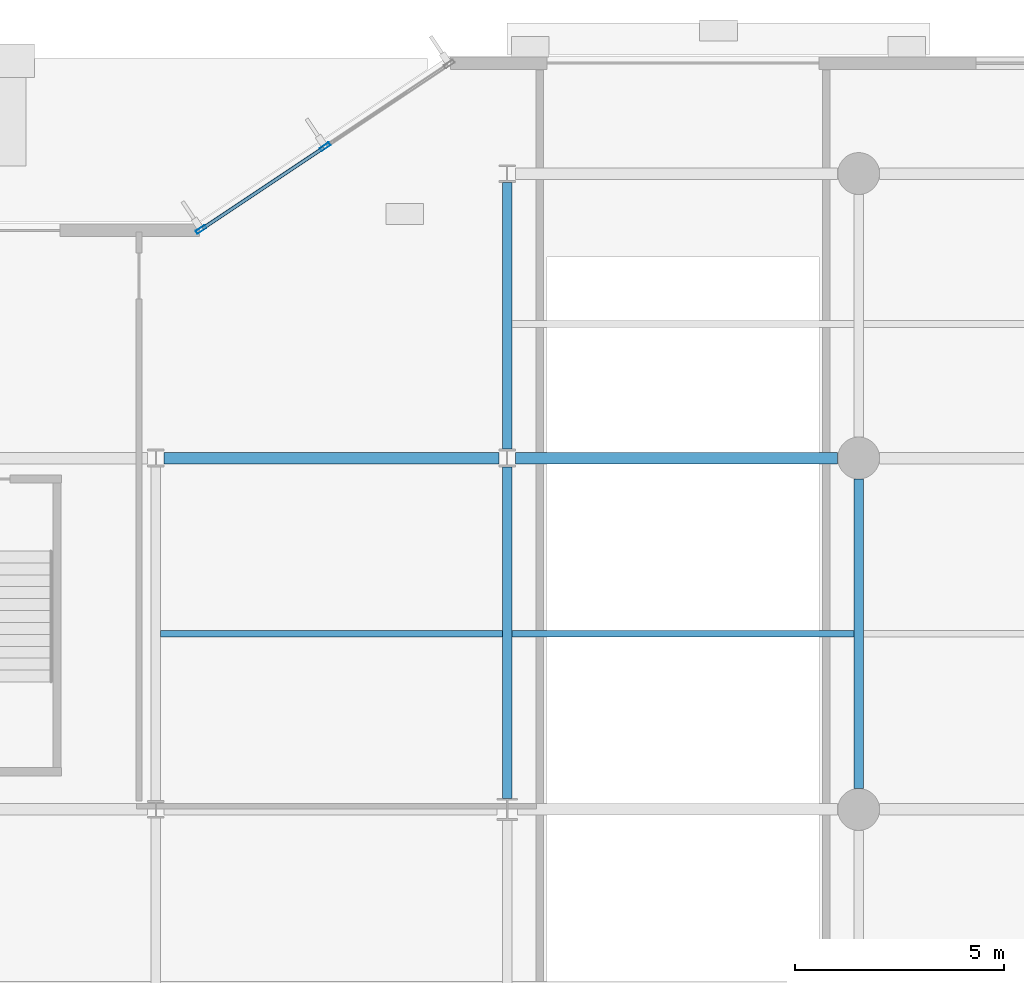
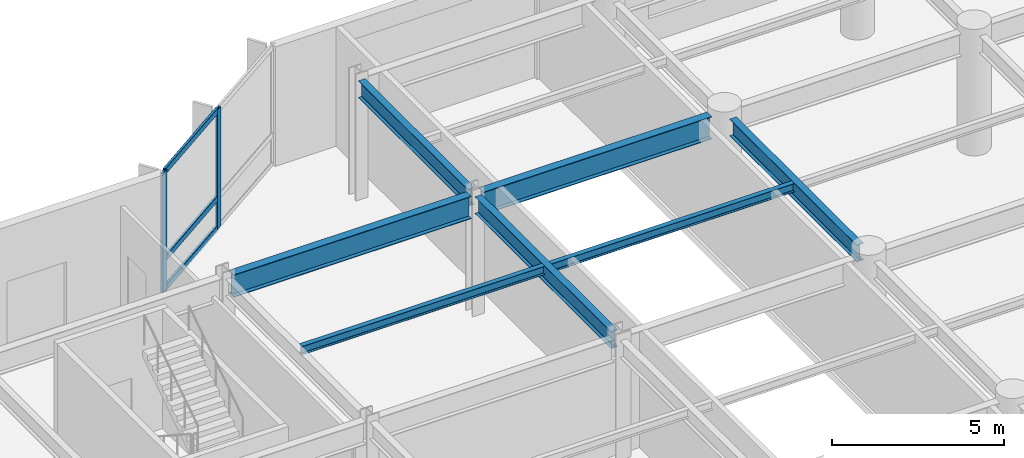
# One storey, part 6 of 26: 7 beams, 5 members, 1 element without a shape of its own.
"""IFC4 building model written with IfcOpenShell, lengths in metres."""

from ifc_helpers import new_model, si_unit, direction, frame, origin, origin_2d, place, context, subcontext, project, spatial, hollow_rectangle, i_section, extrude, material, layer, layer_set, material_profile, profile_set, type_object, element, aggregate, save


model = new_model("IFC4")

# Units and contexts
model_context = context("Model", 3, precision=1e-05, world=origin(), true_north=direction((0.0, 1.0)))
body_context = subcontext(model_context, "Body", "Model", "MODEL_VIEW")
ifc_project = project(units=[si_unit("LENGTHUNIT", "METRE"), si_unit("AREAUNIT", "SQUARE_METRE"), si_unit("VOLUMEUNIT", "CUBIC_METRE"), si_unit("PLANEANGLEUNIT", "RADIAN"), si_unit("MASSUNIT", "GRAM", prefix="KILO")], contexts=[model_context])

# Site, building, storey
site_placement = place(None, origin())
site = spatial("IfcSite", under=ifc_project, at=site_placement, CompositionType="ELEMENT")
building_placement = place(site_placement, origin())
building = spatial("IfcBuilding", under=site, at=building_placement, Name="Varnakote Quay Hospital", CompositionType="ELEMENT")
storey_placement = place(building_placement, origin())
storey = spatial("IfcBuildingStorey", under=building, at=storey_placement, Name="L00", CompositionType="ELEMENT", Elevation=0.0)

# Beams
ifc_material_1 = material(Name="Structural steel AS/NZS 3679.1 Grade 350 L0 (fy 340 MPa)", Category="steel")
ifc_material_profile_1 = material_profile(ifc_material_1, i_section(OverallWidth=0.22802734375, OverallDepth=0.60205078125, WebThickness=0.010498046875, FlangeThickness=0.014892578125, FilletRadius=0.013916015625, at=origin_2d()), Name="610UB101")
ifc_profile_set_1 = profile_set([ifc_material_profile_1], Name="Structural steel AS/NZS 3679.1 Grade 350 L0 (fy 340 MPa)")
beam_type_1 = type_object("IfcBeamType", Name="BM-STL-610UB101", PredefinedType="BEAM", material=ifc_profile_set_1)
beam_1_placement = place(storey_placement, frame((50.39990234375, 29.06494140625, 3.948974609375), z_axis=(0.0, 1.0, 0.0), x_axis=(-1.0, 0.0, 0.0)))
element("IfcBeam", 1, at=beam_1_placement, inside=storey, type_object=beam_type_1, Name="L00 Primary Tie Beam", PredefinedType="BEAM", context=body_context, shape_type="SweptSolid", body=[
    extrude(i_section(OverallWidth=0.22802734375, OverallDepth=0.60205078125, WebThickness=0.010498046875, FlangeThickness=0.014892578125, FilletRadius=0.013916015625, at=origin_2d()), origin(), (0.0, 0.0, 1.0), 7.925048828125),
])
beam_2_placement = place(storey_placement, frame((50.39990234375, 37.409912109375, 3.948974609375), z_axis=(0.0, 1.0, 0.0), x_axis=(-1.0, 0.0, 0.0)))
element("IfcBeam", 2, at=beam_2_placement, inside=storey, type_object=beam_type_1, Name="L00 Primary Tie Beam", PredefinedType="BEAM", context=body_context, shape_type="SweptSolid", body=[
    extrude(i_section(OverallWidth=0.22802734375, OverallDepth=0.60205078125, WebThickness=0.010498046875, FlangeThickness=0.014892578125, FilletRadius=0.013916015625, at=origin_2d()), origin(), (0.0, 0.0, 1.0), 6.380126953125),
])
beam_3_placement = place(storey_placement, frame((58.800048828125, 29.300048828125, 3.948974609375), z_axis=(0.0, 1.0, 0.0), x_axis=(-1.0, 0.0, 0.0)))
element("IfcBeam", 3, at=beam_3_placement, inside=storey, type_object=beam_type_1, Name="L00 Primary Tie Beam", PredefinedType="BEAM", context=body_context, shape_type="SweptSolid", body=[
    extrude(i_section(OverallWidth=0.22802734375, OverallDepth=0.60205078125, WebThickness=0.010498046875, FlangeThickness=0.014892578125, FilletRadius=0.013916015625, at=origin_2d()), origin(), (0.0, 0.0, 1.0), 7.39990234375),
])
ifc_material_2 = material(Name="Structural steel AS/NZS 3678 Grade 350 (fy 340 MPa)", Category="steel")
ifc_material_profile_2 = material_profile(ifc_material_2, i_section(OverallWidth=0.27490234375, OverallDepth=0.800048828125, WebThickness=0.010009765625, FlangeThickness=0.02001953125, at=origin_2d()), Name="800WB146")
ifc_profile_set_2 = profile_set([ifc_material_profile_2], Name="Structural steel AS/NZS 3678 Grade 350 (fy 340 MPa)")
beam_type_2 = type_object("IfcBeamType", Name="BM-STL-800WB146", PredefinedType="BEAM", material=ifc_profile_set_2)
beam_4_placement = place(storey_placement, frame((42.199951171875, 37.199951171875, 3.85009765625), z_axis=(1.0, 0.0, 0.0), x_axis=(0.0, 1.0, 0.0)))
element("IfcBeam", 4, at=beam_4_placement, inside=storey, type_object=beam_type_2, Name="L00 Primary Floor Beam", PredefinedType="BEAM", context=body_context, shape_type="SweptSolid", body=[
    extrude(i_section(OverallWidth=0.27490234375, OverallDepth=0.800048828125, WebThickness=0.010009765625, FlangeThickness=0.02001953125, at=origin_2d()), origin(), (0.0, 0.0, 1.0), 8.0),
])
beam_5_placement = place(storey_placement, frame((50.60009765625, 37.199951171875, 3.85009765625), z_axis=(1.0, 0.0, 0.0), x_axis=(0.0, 1.0, 0.0)))
element("IfcBeam", 5, at=beam_5_placement, inside=storey, type_object=beam_type_2, Name="L00 Primary Floor Beam", PredefinedType="BEAM", context=body_context, shape_type="SweptSolid", body=[
    extrude(i_section(OverallWidth=0.27490234375, OverallDepth=0.800048828125, WebThickness=0.010009765625, FlangeThickness=0.02001953125, at=origin_2d()), origin(), (0.0, 0.0, 1.0), 7.699951171875),
])

# Curtain wall, members
ifc_material_3 = material(Name="Anodised aluminium 6063-T6 Bronze", Category="aluminium")
ifc_layer = layer(ifc_material_3, 0.175048828125)
ifc_layer_set = layer_set([ifc_layer], Name="Anodised aluminium 6063-T6 Bronze")
curtain_wall_type = type_object("IfcCurtainWallType", Name="CW-SYS-1", PredefinedType="NOTDEFINED", material=ifc_layer_set)
curtain_wall_placement = place(storey_placement, origin())
curtain_wall = element("IfcCurtainWall", 6, at=curtain_wall_placement, inside=storey, type_object=curtain_wall_type, Name="L00 Unitised Bronze Curtain Wall 2", PredefinedType="NOTDEFINED")
ifc_material_4 = material(Name="Anodised aluminium 6063-T6 Bronze", Category="aluminium")
ifc_material_profile_3 = material_profile(ifc_material_4, hollow_rectangle(XDim=0.0849609375, YDim=0.260009765625, WallThickness=0.0048828125, InnerFilletRadius=0.0048828125, OuterFilletRadius=0.010009765625, at=origin_2d()), Name="CW-MULL-260x85")
ifc_profile_set_3 = profile_set([ifc_material_profile_3], Name="Anodised aluminium 6063-T6 Bronze")
member_type_1 = type_object("IfcMemberType", Name="CW-MULL-260x85", PredefinedType="MULLION", material=ifc_profile_set_3)
member_1_placement = place(storey_placement, frame((46.04833984375, 44.639892578125, 0.0), z_axis=(0.0, 0.0, 1.0), x_axis=(0.554700196226, -0.832050294338, 0.0)))
member_1 = element("IfcMember", 7, at=member_1_placement, type_object=member_type_1, Name="-1-L00-2 mullion 2", PredefinedType="MULLION", context=body_context, shape_type="SweptSolid", body=[
    extrude(hollow_rectangle(XDim=0.0849609375, YDim=0.260009765625, WallThickness=0.0048828125, InnerFilletRadius=0.0048828125, OuterFilletRadius=0.010009765625, at=origin_2d()), origin(), (0.0, 0.0, 1.0), 4.25),
])
member_2_placement = place(storey_placement, frame((43.083740234375, 42.66357421875, 0.0), z_axis=(0.0, 0.0, 1.0), x_axis=(0.554700196226, -0.832050294338, 0.0)))
member_2 = element("IfcMember", 8, at=member_2_placement, type_object=member_type_1, Name="-1-L00-2 mullion 3", PredefinedType="MULLION", context=body_context, shape_type="SweptSolid", body=[
    extrude(hollow_rectangle(XDim=0.0849609375, YDim=0.260009765625, WallThickness=0.0048828125, InnerFilletRadius=0.0048828125, OuterFilletRadius=0.010009765625, at=origin_2d()), origin(), (0.0, 0.0, 1.0), 4.25),
])
ifc_material_5 = material(Name="Anodised aluminium 6063-T6 Bronze", Category="aluminium")
ifc_material_profile_4 = material_profile(ifc_material_5, hollow_rectangle(XDim=0.0849609375, YDim=0.2099609375, WallThickness=0.00439453125, InnerFilletRadius=0.00439453125, OuterFilletRadius=0.009033203125, at=origin_2d()), Name="CW-TRAN-210x85")
ifc_profile_set_4 = profile_set([ifc_material_profile_4], Name="Anodised aluminium 6063-T6 Bronze")
member_type_2 = type_object("IfcMemberType", Name="CW-TRAN-210x85", PredefinedType="USERDEFINED", material=ifc_profile_set_4)
member_3_placement = place(storey_placement, frame((46.012939453125, 44.616455078125, 0.04248046875), z_axis=(-0.832050294338, -0.554700196225, 0.0), x_axis=(0.554700196225, -0.832050294338, 0.0)))
member_3 = element("IfcMember", 9, at=member_3_placement, type_object=member_type_2, Name="-1-L00-2 transom 2.1", ObjectType="TRANSOM", PredefinedType="USERDEFINED", context=body_context, shape_type="SweptSolid", body=[
    extrude(hollow_rectangle(XDim=0.0849609375, YDim=0.2099609375, WallThickness=0.00439453125, InnerFilletRadius=0.00439453125, OuterFilletRadius=0.009033203125, at=origin_2d()), origin(), (0.0, 0.0, 1.0), 3.47802734375),
])
member_4_placement = place(storey_placement, frame((46.012939453125, 44.616455078125, 1.10009765625), z_axis=(-0.832050294338, -0.554700196225, 0.0), x_axis=(0.554700196225, -0.832050294338, 0.0)))
member_4 = element("IfcMember", 10, at=member_4_placement, type_object=member_type_2, Name="-1-L00-2 transom 2.2", ObjectType="TRANSOM", PredefinedType="USERDEFINED", context=body_context, shape_type="SweptSolid", body=[
    extrude(hollow_rectangle(XDim=0.0849609375, YDim=0.2099609375, WallThickness=0.00439453125, InnerFilletRadius=0.00439453125, OuterFilletRadius=0.009033203125, at=origin_2d()), origin(), (0.0, 0.0, 1.0), 3.47802734375),
])
member_5_placement = place(storey_placement, frame((46.012939453125, 44.616455078125, 4.20751953125), z_axis=(-0.832050294338, -0.554700196225, 0.0), x_axis=(0.554700196225, -0.832050294338, 0.0)))
member_5 = element("IfcMember", 11, at=member_5_placement, type_object=member_type_2, Name="-1-L00-2 transom 2.3", ObjectType="TRANSOM", PredefinedType="USERDEFINED", context=body_context, shape_type="SweptSolid", body=[
    extrude(hollow_rectangle(XDim=0.0849609375, YDim=0.2099609375, WallThickness=0.00439453125, InnerFilletRadius=0.00439453125, OuterFilletRadius=0.009033203125, at=origin_2d()), origin(), (0.0, 0.0, 1.0), 3.47802734375),
])
aggregate(curtain_wall, [member_1, member_2, member_3, member_4, member_5])

# Beams
ifc_material_6 = material(Name="Structural steel AS/NZS 3679.1 Grade 350 L0 (fy 340 MPa)", Category="steel")
ifc_material_profile_5 = material_profile(ifc_material_6, i_section(OverallWidth=0.1650390625, OverallDepth=0.303955078125, WebThickness=0.006103515625, FlangeThickness=0.01025390625, FilletRadius=0.011474609375, at=origin_2d()), Name="310UB40.4")
ifc_profile_set_5 = profile_set([ifc_material_profile_5], Name="Structural steel AS/NZS 3679.1 Grade 350 L0 (fy 340 MPa)")
beam_type_3 = type_object("IfcBeamType", Name="JST-STL-310UB40-4", PredefinedType="JOIST", material=ifc_profile_set_5)
beam_6_placement = place(storey_placement, frame((42.114013671875, 33.0, 4.097900390625), z_axis=(1.0, 0.0, 0.0), x_axis=(0.0, 1.0, 0.0)))
element("IfcBeam", 12, at=beam_6_placement, inside=storey, type_object=beam_type_3, Name="L00 Composite Floor Joist", PredefinedType="JOIST", context=body_context, shape_type="SweptSolid", body=[
    extrude(i_section(OverallWidth=0.1650390625, OverallDepth=0.303955078125, WebThickness=0.006103515625, FlangeThickness=0.01025390625, FilletRadius=0.011474609375, at=origin_2d()), origin(), (0.0, 0.0, 1.0), 8.171875),
])
beam_7_placement = place(storey_placement, frame((50.513916015625, 33.0, 4.097900390625), z_axis=(1.0, 0.0, 0.0), x_axis=(0.0, 1.0, 0.0)))
element("IfcBeam", 13, at=beam_7_placement, inside=storey, type_object=beam_type_3, Name="L00 Composite Floor Joist", PredefinedType="JOIST", context=body_context, shape_type="SweptSolid", body=[
    extrude(i_section(OverallWidth=0.1650390625, OverallDepth=0.303955078125, WebThickness=0.006103515625, FlangeThickness=0.01025390625, FilletRadius=0.011474609375, at=origin_2d()), origin(), (0.0, 0.0, 1.0), 8.172119140625),
])

save(model, "model.ifc")
